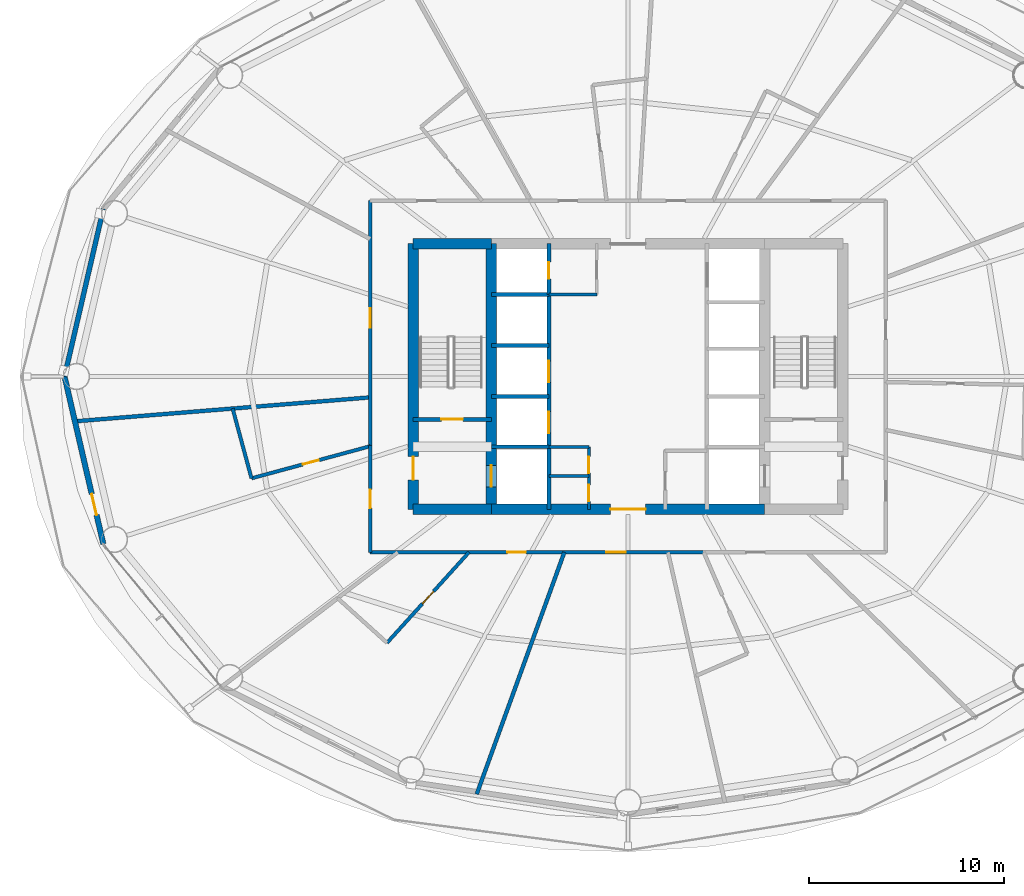
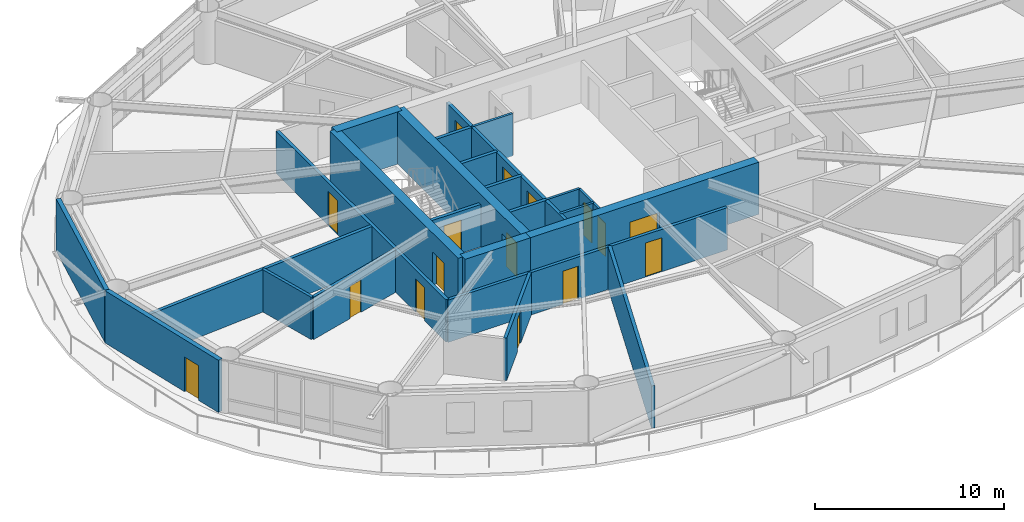
# One storey, part 18 of 24: 27 walls, 16 doors, 16 openings.
"""IFC4 building model written with IfcOpenShell, lengths in metres."""

from ifc_helpers import new_model, si_unit, direction, frame, frame_2d, origin, place, context, subcontext, project, spatial, rectangle, extrude, material, layer, layer_set, type_object, element, fill, save


model = new_model("IFC4")

# Units and contexts
model_context = context("Model", 3, precision=1e-05, world=origin(), true_north=direction((0.0, 1.0)))
body_context = subcontext(model_context, "Body", "Model", "MODEL_VIEW")
ifc_project = project(units=[si_unit("LENGTHUNIT", "METRE"), si_unit("AREAUNIT", "SQUARE_METRE"), si_unit("VOLUMEUNIT", "CUBIC_METRE"), si_unit("PLANEANGLEUNIT", "RADIAN"), si_unit("MASSUNIT", "GRAM", prefix="KILO")], contexts=[model_context])

# Site, building, storey
site_placement = place(None, origin())
site = spatial("IfcSite", under=ifc_project, at=site_placement, CompositionType="ELEMENT")
building_placement = place(site_placement, origin())
building = spatial("IfcBuilding", under=site, at=building_placement, Name="Sarneth Arch Tower", CompositionType="ELEMENT")
storey_placement = place(building_placement, frame((0.0, 0.0, 127.199951171875)))
storey = spatial("IfcBuildingStorey", under=building, at=storey_placement, Name="L32", CompositionType="ELEMENT", Elevation=127.199951171875)

# Wall
ifc_material_1 = material(Name="Concrete C60/75", Category="concrete")
ifc_layer_1 = layer(ifc_material_1, 0.550048828125)
ifc_layer_set_1 = layer_set([ifc_layer_1], Name="Concrete C60/75")
wall_type_1 = type_object("IfcWallType", Name="WALL-CORE-550", PredefinedType="SHEAR", material=ifc_layer_set_1)
wall_1_placement = place(storey_placement, frame((37.0, 35.199951171875, 0.0), z_axis=(0.0, 0.0, 1.0), x_axis=(1.0, 0.0, 0.0)))
element("IfcWall", 1, at=wall_1_placement, inside=storey, type_object=wall_type_1, Name="L32 Core shear wall S-W", PredefinedType="SHEAR", context=body_context, shape_type="SweptSolid", body=[
    extrude(rectangle(XDim=4.0, YDim=0.550048828125, at=frame_2d((2.0, 0.0))), origin(), (0.0, 0.0, 1.0), 3.380126953125),
])

# Wall, opening, door
wall_2_placement = place(storey_placement, frame((41.0, 35.199951171875, 0.0), z_axis=(0.0, 0.0, 1.0), x_axis=(1.0, 0.0, 0.0)))
wall_2 = element("IfcWall", 2, at=wall_2_placement, inside=storey, type_object=wall_type_1, Name="L32 Core shear wall S-M", PredefinedType="SHEAR", context=body_context, shape_type="SweptSolid", body=[
    extrude(rectangle(XDim=14.0, YDim=0.550048828125, at=frame_2d((7.0, 0.0))), origin(), (0.0, 0.0, 1.0), 3.380126953125),
])
opening_1_placement = place(wall_2_placement, frame((6.10009765625, 0.0, 0.0)))
opening_1 = element("IfcOpeningElement", 3, at=opening_1_placement, cuts=wall_2, Name="Opening FD-01", PredefinedType="OPENING", context=body_context, shape_type="SweptSolid", body=[
    extrude(rectangle(XDim=1.800048828125, YDim=2.25, at=frame_2d((0.89990234375, 1.125))), frame((0.0, 0.284912109375, 0.0), z_axis=(0.0, -1.0, 0.0), x_axis=(1.0, 0.0, 0.0)), (0.0, 0.0, 1.0), 0.570068359375),
])
ifc_material_2 = material(Name="Galvanised Steel S275 fire door set", Category="steel")
door_type_1 = type_object("IfcDoorType", Name="DR-FD90-1800", OperationType="DOUBLE_DOOR_SINGLE_SWING", PredefinedType="DOOR", material=ifc_material_2)
door_1_placement = place(opening_1_placement, origin())
door_1 = element("IfcDoor", 4, at=door_1_placement, inside=storey, type_object=door_type_1, Name="L32 Central lift lobby south door", OperationType="DOUBLE_DOOR_SINGLE_SWING", OverallHeight=2.25, OverallWidth=1.800048828125, PredefinedType="DOOR", context=body_context, shape_type="SweptSolid", body=[
    extrude(rectangle(XDim=1.800048828125, YDim=2.25, at=frame_2d((0.89990234375, 1.125))), frame((0.0, 0.02490234375, 0.0), z_axis=(0.0, -1.0, 0.0), x_axis=(1.0, 0.0, 0.0)), (0.0, 0.0, 1.0), 0.050048828125),
])
fill(opening_1, door_1)

# Wall
wall_3_placement = place(storey_placement, frame((37.0, 48.800048828125, 0.0), z_axis=(0.0, 0.0, 1.0), x_axis=(1.0, 0.0, 0.0)))
element("IfcWall", 5, at=wall_3_placement, inside=storey, type_object=wall_type_1, Name="L32 Core shear wall N-W", PredefinedType="SHEAR", context=body_context, shape_type="SweptSolid", body=[
    extrude(rectangle(XDim=4.0, YDim=0.550048828125, at=frame_2d((2.0, 0.0))), origin(), (0.0, 0.0, 1.0), 3.380126953125),
])

# Wall, opening, door
wall_4_placement = place(storey_placement, frame((37.0, 35.199951171875, 0.0), z_axis=(0.0, 0.0, 1.0), x_axis=(0.0, 1.0, 0.0)))
wall_4 = element("IfcWall", 6, at=wall_4_placement, inside=storey, type_object=wall_type_1, Name="L32 Core shear wall W", PredefinedType="SHEAR", context=body_context, shape_type="SweptSolid", body=[
    extrude(rectangle(XDim=13.60009765625, YDim=0.550048828125, at=frame_2d((6.800048828125, 0.0))), origin(), (0.0, 0.0, 1.0), 3.380126953125),
])
opening_2_placement = place(wall_4_placement, frame((1.5, 0.0, 0.0)))
opening_2 = element("IfcOpeningElement", 7, at=opening_2_placement, cuts=wall_4, Name="Opening FD-02", PredefinedType="OPENING", context=body_context, shape_type="SweptSolid", body=[
    extrude(rectangle(XDim=1.199951171875, YDim=2.14990234375, at=frame_2d((0.60009765625, 1.074951171875))), frame((0.0, 0.284912109375, 0.0), z_axis=(0.0, -1.0, 0.0), x_axis=(1.0, 0.0, 0.0)), (0.0, 0.0, 1.0), 0.570068359375),
])
ifc_material_3 = material(Name="Galvanised Steel S275 fire door set", Category="steel")
door_type_2 = type_object("IfcDoorType", Name="DR-FD90-1200", OperationType="SINGLE_SWING_LEFT", PredefinedType="DOOR", material=ifc_material_3)
door_2_placement = place(opening_2_placement, origin())
door_2 = element("IfcDoor", 8, at=door_2_placement, inside=storey, type_object=door_type_2, Name="L32 Firefighting lobby 1 exit door", OperationType="SINGLE_SWING_LEFT", OverallHeight=2.14990234375, OverallWidth=1.199951171875, PredefinedType="DOOR", context=body_context, shape_type="SweptSolid", body=[
    extrude(rectangle(XDim=1.199951171875, YDim=2.14990234375, at=frame_2d((0.60009765625, 1.074951171875))), frame((0.0, 0.02490234375, 0.0), z_axis=(0.0, -1.0, 0.0), x_axis=(1.0, 0.0, 0.0)), (0.0, 0.0, 1.0), 0.050048828125),
])
fill(opening_2, door_2)

wall_5_placement = place(storey_placement, frame((41.0, 35.199951171875, 0.0), z_axis=(0.0, 0.0, 1.0), x_axis=(0.0, 1.0, 0.0)))
wall_5 = element("IfcWall", 9, at=wall_5_placement, inside=storey, type_object=wall_type_1, Name="L32 Core shear wall WEB-W", PredefinedType="SHEAR", context=body_context, shape_type="SweptSolid", body=[
    extrude(rectangle(XDim=13.60009765625, YDim=0.550048828125, at=frame_2d((6.800048828125, 0.0))), origin(), (0.0, 0.0, 1.0), 3.380126953125),
])
opening_3_placement = place(wall_5_placement, frame((1.14990234375, 0.0, 0.0)))
opening_3 = element("IfcOpeningElement", 10, at=opening_3_placement, cuts=wall_5, Name="Opening LD-1", PredefinedType="OPENING", context=body_context, shape_type="SweptSolid", body=[
    extrude(rectangle(XDim=1.10009765625, YDim=2.199951171875, at=frame_2d((0.550048828125, 1.10009765625))), frame((0.0, 0.284912109375, 0.0), z_axis=(0.0, -1.0, 0.0), x_axis=(1.0, 0.0, 0.0)), (0.0, 0.0, 1.0), 0.570068359375),
])
ifc_material_4 = material(Name="Brushed Stainless Steel 304 lift landing door", Category="steel")
door_type_3 = type_object("IfcDoorType", Name="DR-LIFT-SLIDE-1100", OperationType="SLIDING_TO_LEFT", PredefinedType="DOOR", material=ifc_material_4)
door_3_placement = place(opening_3_placement, origin())
door_3 = element("IfcDoor", 11, at=door_3_placement, inside=storey, type_object=door_type_3, Name="L32 Firefighting lift landing door FL-1", OperationType="SLIDING_TO_LEFT", OverallHeight=2.199951171875, OverallWidth=1.10009765625, PredefinedType="DOOR", context=body_context, shape_type="SweptSolid", body=[
    extrude(rectangle(XDim=1.10009765625, YDim=2.199951171875, at=frame_2d((0.550048828125, 1.10009765625))), frame((0.0, 0.02490234375, 0.0), z_axis=(0.0, -1.0, 0.0), x_axis=(1.0, 0.0, 0.0)), (0.0, 0.0, 1.0), 0.050048828125),
])
fill(opening_3, door_3)

ifc_material_5 = material(Name="Double steel-stud corridor fire wall", Category="steel")
ifc_layer_2 = layer(ifc_material_5, 0.18994140625)
ifc_layer_set_2 = layer_set([ifc_layer_2], Name="Double steel-stud corridor fire wall")
wall_type_2 = type_object("IfcWallType", Name="WALL-CORR-190", PredefinedType="PARTITIONING", material=ifc_layer_set_2)
wall_6_placement = place(storey_placement, frame((34.800048828125, 38.396240234375, 0.0), z_axis=(0.0, 0.0, 1.0), x_axis=(0.0, 1.0, 0.0)))
wall_6 = element("IfcWall", 12, at=wall_6_placement, inside=storey, type_object=wall_type_2, Name="L32 Interior partition W-L32-TP-010", PredefinedType="PARTITIONING", context=body_context, shape_type="SweptSolid", body=[
    extrude(rectangle(XDim=12.603759765625, YDim=0.18994140625, at=frame_2d((6.3017578125, 0.0))), origin(), (0.0, 0.0, 1.0), 2.739990234375),
])
opening_4_placement = place(wall_6_placement, frame((6.093505859375, 0.0, 0.0)))
opening_4 = element("IfcOpeningElement", 13, at=opening_4_placement, cuts=wall_6, Name="Opening FD-08", PredefinedType="OPENING", context=body_context, shape_type="SweptSolid", body=[
    extrude(rectangle(XDim=1.0, YDim=2.199951171875, at=frame_2d((0.5, 1.10009765625))), frame((0.0, 0.10498046875, 0.0), z_axis=(0.0, -1.0, 0.0), x_axis=(1.0, 0.0, 0.0)), (0.0, 0.0, 1.0), 0.2099609375),
])
ifc_material_6 = material(Name="Hardwood timber acoustic fire door", Category="wood")
door_type_4 = type_object("IfcDoorType", Name="DR-FD60-1000", OperationType="SINGLE_SWING_LEFT", PredefinedType="DOOR", material=ifc_material_6)
door_4_placement = place(opening_4_placement, origin())
door_4 = element("IfcDoor", 14, at=door_4_placement, inside=storey, type_object=door_type_4, Name="L32 Interior door DR-L32-AMN-05", OperationType="SINGLE_SWING_RIGHT", OverallHeight=2.199951171875, OverallWidth=1.0, PredefinedType="DOOR", context=body_context, shape_type="SweptSolid", body=[
    extrude(rectangle(XDim=1.0, YDim=2.199951171875, at=frame_2d((0.5, 1.10009765625))), frame((0.0, 0.02490234375, 0.0), z_axis=(0.0, -1.0, 0.0), x_axis=(1.0, 0.0, 0.0)), (0.0, 0.0, 1.0), 0.050048828125),
])
fill(opening_4, door_4)

wall_7_placement = place(storey_placement, frame((34.800048828125, 33.0, 0.0), z_axis=(0.0, 0.0, 1.0), x_axis=(0.0, 1.0, 0.0)))
wall_7 = element("IfcWall", 15, at=wall_7_placement, inside=storey, type_object=wall_type_2, Name="L32 Interior partition W-L32-TP-012", PredefinedType="PARTITIONING", context=body_context, shape_type="SweptSolid", body=[
    extrude(rectangle(XDim=5.462646484375, YDim=0.18994140625, at=frame_2d((2.7314453125, 0.0))), origin(), (0.0, 0.0, 1.0), 2.739990234375),
])
opening_5_placement = place(wall_7_placement, frame((2.25634765625, 0.0, 0.0)))
opening_5 = element("IfcOpeningElement", 16, at=opening_5_placement, cuts=wall_7, Name="Opening FD-09", PredefinedType="OPENING", context=body_context, shape_type="SweptSolid", body=[
    extrude(rectangle(XDim=0.949951171875, YDim=2.14990234375, at=frame_2d((0.47509765625, 1.074951171875))), frame((0.0, 0.10498046875, 0.0), z_axis=(0.0, -1.0, 0.0), x_axis=(1.0, 0.0, 0.0)), (0.0, 0.0, 1.0), 0.2099609375),
])
ifc_material_7 = material(Name="Hardwood timber hotel entrance fire door", Category="wood")
door_type_5 = type_object("IfcDoorType", Name="DR-FD60-950", OperationType="SINGLE_SWING_RIGHT", PredefinedType="DOOR", material=ifc_material_7)
door_5_placement = place(opening_5_placement, origin())
door_5 = element("IfcDoor", 17, at=door_5_placement, inside=storey, type_object=door_type_5, Name="L32 Interior door DR-L32-KEY-06", OperationType="SINGLE_SWING_LEFT", OverallHeight=2.14990234375, OverallWidth=0.949951171875, PredefinedType="DOOR", context=body_context, shape_type="SweptSolid", body=[
    extrude(rectangle(XDim=0.949951171875, YDim=2.14990234375, at=frame_2d((0.47509765625, 1.074951171875))), frame((0.0, 0.02490234375, 0.0), z_axis=(0.0, -1.0, 0.0), x_axis=(1.0, 0.0, 0.0)), (0.0, 0.0, 1.0), 0.050048828125),
])
fill(opening_5, door_5)

# Wall, openings, doors
wall_8_placement = place(storey_placement, frame((51.914306640625, 33.0, 0.0), z_axis=(0.0, 0.0, 1.0), x_axis=(-1.0, 0.0, 0.0)))
wall_8 = element("IfcWall", 18, at=wall_8_placement, inside=storey, type_object=wall_type_2, Name="L32 Interior partition W-L32-TP-016", PredefinedType="PARTITIONING", context=body_context, shape_type="SweptSolid", body=[
    extrude(rectangle(XDim=17.1142578125, YDim=0.18994140625, at=frame_2d((8.55712890625, 0.0))), origin(), (0.0, 0.0, 1.0), 2.739990234375),
])
opening_6_placement = place(wall_8_placement, frame((4.020751953125, 0.0, 0.0)))
opening_6 = element("IfcOpeningElement", 19, at=opening_6_placement, cuts=wall_8, Name="Opening FD-08", PredefinedType="OPENING", context=body_context, shape_type="SweptSolid", body=[
    extrude(rectangle(XDim=1.0, YDim=2.199951171875, at=frame_2d((0.5, 1.10009765625))), frame((0.0, 0.10498046875, 0.0), z_axis=(0.0, -1.0, 0.0), x_axis=(1.0, 0.0, 0.0)), (0.0, 0.0, 1.0), 0.2099609375),
])
opening_7_placement = place(wall_8_placement, frame((9.144775390625, 0.0, 0.0)))
opening_7 = element("IfcOpeningElement", 20, at=opening_7_placement, cuts=wall_8, Name="Opening FD-09", PredefinedType="OPENING", context=body_context, shape_type="SweptSolid", body=[
    extrude(rectangle(XDim=0.949951171875, YDim=2.14990234375, at=frame_2d((0.47509765625, 1.074951171875))), frame((0.0, 0.10498046875, 0.0), z_axis=(0.0, -1.0, 0.0), x_axis=(1.0, 0.0, 0.0)), (0.0, 0.0, 1.0), 0.2099609375),
])
door_6_placement = place(opening_6_placement, origin())
door_6 = element("IfcDoor", 21, at=door_6_placement, inside=storey, type_object=door_type_4, Name="L32 Interior door DR-L32-AMN-08", OperationType="SINGLE_SWING_RIGHT", OverallHeight=2.199951171875, OverallWidth=1.0, PredefinedType="DOOR", context=body_context, shape_type="SweptSolid", body=[
    extrude(rectangle(XDim=1.0, YDim=2.199951171875, at=frame_2d((0.5, 1.10009765625))), frame((0.0, 0.02490234375, 0.0), z_axis=(0.0, -1.0, 0.0), x_axis=(1.0, 0.0, 0.0)), (0.0, 0.0, 1.0), 0.050048828125),
])
fill(opening_6, door_6)
door_7_placement = place(opening_7_placement, origin())
door_7 = element("IfcDoor", 22, at=door_7_placement, inside=storey, type_object=door_type_5, Name="L32 Interior door DR-L32-KEY-07", OperationType="SINGLE_SWING_RIGHT", OverallHeight=2.14990234375, OverallWidth=0.949951171875, PredefinedType="DOOR", context=body_context, shape_type="SweptSolid", body=[
    extrude(rectangle(XDim=0.949951171875, YDim=2.14990234375, at=frame_2d((0.47509765625, 1.074951171875))), frame((0.0, 0.02490234375, 0.0), z_axis=(0.0, -1.0, 0.0), x_axis=(1.0, 0.0, 0.0)), (0.0, 0.0, 1.0), 0.050048828125),
])
fill(opening_7, door_7)

# Wall
ifc_material_8 = material(Name="Extruded terracotta rainscreen on Concrete C40/50 backing", Category="masonry")
ifc_layer_3 = layer(ifc_material_8, 0.25)
ifc_layer_set_3 = layer_set([ifc_layer_3], Name="Extruded terracotta rainscreen on Concrete C40/50 backing")
wall_type_3 = type_object("IfcWallType", Name="WALL-EXT-SPAND-250", PredefinedType="SOLIDWALL", material=ifc_layer_set_3)
wall_9_placement = place(storey_placement, frame((21.138671875, 50.58349609375, 0.0), z_axis=(0.0, 0.0, 1.0), x_axis=(-0.22558597182, -0.974223264616, 0.0)))
element("IfcWall", 23, at=wall_9_placement, inside=storey, type_object=wall_type_3, Name="L32 Terracotta perimeter wall 08", PredefinedType="SOLIDWALL", context=body_context, shape_type="SweptSolid", body=[
    extrude(rectangle(XDim=8.810546875, YDim=0.25, at=frame_2d((4.4052734375, 0.0))), origin(), (0.0, 0.0, 1.0), 3.380126953125),
])

# Wall, opening, door
ifc_material_9 = material(Name="Extruded terracotta rainscreen on Concrete C40/50 backing", Category="masonry")
ifc_layer_4 = layer(ifc_material_9, 0.280029296875)
ifc_layer_set_4 = layer_set([ifc_layer_4], Name="Extruded terracotta rainscreen on Concrete C40/50 backing")
wall_type_4 = type_object("IfcWallType", Name="WALL-EXT-TERRA-280", PredefinedType="SOLIDWALL", material=ifc_layer_set_4)
wall_10_placement = place(storey_placement, frame((19.151123046875, 42.0, 0.0), z_axis=(0.0, 0.0, 1.0), x_axis=(0.22558597182, -0.974223264616, 0.0)))
wall_10 = element("IfcWall", 24, at=wall_10_placement, inside=storey, type_object=wall_type_4, Name="L32 Terracotta perimeter wall 09", PredefinedType="SOLIDWALL", context=body_context, shape_type="SweptSolid", body=[
    extrude(rectangle(XDim=8.810546875, YDim=0.280029296875, at=frame_2d((4.4052734375, 0.0))), origin(), (0.0, 0.0, 1.0), 3.380126953125),
])
opening_8_placement = place(wall_10_placement, frame((6.174560546875, 0.0, 0.0)))
opening_8 = element("IfcOpeningElement", 25, at=opening_8_placement, cuts=wall_10, Name="Opening BD-3", PredefinedType="OPENING", context=body_context, shape_type="SweptSolid", body=[
    extrude(rectangle(XDim=1.10009765625, YDim=2.25, at=frame_2d((0.550048828125, 1.125))), frame((0.0, 0.14990234375, 0.0), z_axis=(0.0, -1.0, 0.0), x_axis=(1.0, 0.0, 0.0)), (0.0, 0.0, 1.0), 0.300048828125),
])
ifc_material_10 = material(Name="Thermally broken Aluminium 6063-T6 and laminated safety glass", Category="aluminium")
door_type_6 = type_object("IfcDoorType", Name="DR-BALC-GLZ-1100", OperationType="SINGLE_SWING_LEFT", PredefinedType="DOOR", material=ifc_material_10)
door_8_placement = place(opening_8_placement, origin())
door_8 = element("IfcDoor", 26, at=door_8_placement, inside=storey, type_object=door_type_6, Name="L32 Balcony glazed door 09", OperationType="SINGLE_SWING_LEFT", OverallHeight=2.25, OverallWidth=1.10009765625, PredefinedType="DOOR", context=body_context, shape_type="SweptSolid", body=[
    extrude(rectangle(XDim=1.10009765625, YDim=2.25, at=frame_2d((0.550048828125, 1.125))), frame((0.0, 0.02490234375, 0.0), z_axis=(0.0, -1.0, 0.0), x_axis=(1.0, 0.0, 0.0)), (0.0, 0.0, 1.0), 0.050048828125),
])
fill(opening_8, door_8)

# Walls
ifc_material_11 = material(Name="Acoustic gypsum stud partition", Category="gypsum")
ifc_layer_5 = layer(ifc_material_11, 0.14990234375)
ifc_layer_set_5 = layer_set([ifc_layer_5], Name="Acoustic gypsum stud partition")
wall_type_5 = type_object("IfcWallType", Name="WALL-PART-150", PredefinedType="PARTITIONING", material=ifc_layer_set_5)
for number, where, z_axis, x_axis, name in (
    (27, (43.949951171875, 36.89990234375, 0.0), (0.0, 0.0, 1.0), (1.0, 0.0, 0.0), "L32 Interior partition W-L32-CSUP-M"),
    (28, (43.949951171875, 38.39990234375, 0.0), (0.0, 0.0, 1.0), (1.0, 0.0, 0.0), "L32 Interior partition W-L32-CSUP-N"),
):
    element("IfcWall", number, at=place(storey_placement, frame(where, z_axis=z_axis, x_axis=x_axis)), inside=storey, type_object=wall_type_5, Name=name, PredefinedType="PARTITIONING", context=body_context, shape_type="SweptSolid", body=[
        extrude(rectangle(XDim=2.050048828125, YDim=0.14990234375, at=frame_2d((1.02490234375, 0.0))), origin(), (0.0, 0.0, 1.0), 2.739990234375),
    ])

# Wall, openings, doors
wall_11_placement = place(storey_placement, frame((46.0, 35.199951171875, 0.0), z_axis=(0.0, 0.0, 1.0), x_axis=(0.0, 1.0, 0.0)))
wall_11 = element("IfcWall", 29, at=wall_11_placement, inside=storey, type_object=wall_type_5, Name="L32 Interior partition W-L32-CSUP-E", PredefinedType="PARTITIONING", context=body_context, shape_type="SweptSolid", body=[
    extrude(rectangle(XDim=3.199951171875, YDim=0.14990234375, at=frame_2d((1.60009765625, 0.0))), origin(), (0.0, 0.0, 1.0), 2.739990234375),
])
opening_9_placement = place(wall_11_placement, frame((0.39990234375, 0.0, 0.0)))
opening_9 = element("IfcOpeningElement", 30, at=opening_9_placement, cuts=wall_11, Name="Opening FD-11", PredefinedType="OPENING", context=body_context, shape_type="SweptSolid", body=[
    extrude(rectangle(XDim=0.85009765625, YDim=2.14990234375, at=frame_2d((0.425048828125, 1.074951171875))), frame((0.0, 0.0849609375, 0.0), z_axis=(0.0, -1.0, 0.0), x_axis=(1.0, 0.0, 0.0)), (0.0, 0.0, 1.0), 0.169921875),
])
opening_10_placement = place(wall_11_placement, frame((1.85009765625, 0.0, 0.0)))
opening_10 = element("IfcOpeningElement", 31, at=opening_10_placement, cuts=wall_11, Name="Opening FD-11", PredefinedType="OPENING", context=body_context, shape_type="SweptSolid", body=[
    extrude(rectangle(XDim=0.85009765625, YDim=2.14990234375, at=frame_2d((0.425048828125, 1.074951171875))), frame((0.0, 0.0849609375, 0.0), z_axis=(0.0, -1.0, 0.0), x_axis=(1.0, 0.0, 0.0)), (0.0, 0.0, 1.0), 0.169921875),
])
ifc_material_12 = material(Name="Galvanised Steel S275 closet fire door", Category="steel")
door_type_7 = type_object("IfcDoorType", Name="DR-FD60-850", OperationType="SINGLE_SWING_LEFT", PredefinedType="DOOR", material=ifc_material_12)
door_9_placement = place(opening_9_placement, origin())
door_9 = element("IfcDoor", 32, at=door_9_placement, inside=storey, type_object=door_type_7, Name="L32 Interior door DR-L32-CSUP1", OperationType="SINGLE_SWING_LEFT", OverallHeight=2.14990234375, OverallWidth=0.85009765625, PredefinedType="DOOR", context=body_context, shape_type="SweptSolid", body=[
    extrude(rectangle(XDim=0.85009765625, YDim=2.14990234375, at=frame_2d((0.425048828125, 1.074951171875))), frame((0.0, 0.02490234375, 0.0), z_axis=(0.0, -1.0, 0.0), x_axis=(1.0, 0.0, 0.0)), (0.0, 0.0, 1.0), 0.050048828125),
])
fill(opening_9, door_9)
door_10_placement = place(opening_10_placement, origin())
door_10 = element("IfcDoor", 33, at=door_10_placement, inside=storey, type_object=door_type_7, Name="L32 Interior door DR-L32-CSUP2", OperationType="SINGLE_SWING_RIGHT", OverallHeight=2.14990234375, OverallWidth=0.85009765625, PredefinedType="DOOR", context=body_context, shape_type="SweptSolid", body=[
    extrude(rectangle(XDim=0.85009765625, YDim=2.14990234375, at=frame_2d((0.425048828125, 1.074951171875))), frame((0.0, 0.02490234375, 0.0), z_axis=(0.0, -1.0, 0.0), x_axis=(1.0, 0.0, 0.0)), (0.0, 0.0, 1.0), 0.050048828125),
])
fill(opening_10, door_10)

# Wall
wall_12_placement = place(storey_placement, frame((43.949951171875, 46.199951171875, 0.0), z_axis=(0.0, 0.0, 1.0), x_axis=(1.0, 0.0, 0.0)))
element("IfcWall", 34, at=wall_12_placement, inside=storey, type_object=wall_type_5, Name="L32 Interior partition W-L32-CSUP3-S", PredefinedType="PARTITIONING", context=body_context, shape_type="SweptSolid", body=[
    extrude(rectangle(XDim=2.449951171875, YDim=0.14990234375, at=frame_2d((1.22509765625, 0.0))), origin(), (0.0, 0.0, 1.0), 2.739990234375),
])

# Wall, opening, door
ifc_material_13 = material(Name="Moisture-resistant plumbing chase wall", Category="gypsum")
ifc_layer_6 = layer(ifc_material_13, 0.179931640625)
ifc_layer_set_6 = layer_set([ifc_layer_6], Name="Moisture-resistant plumbing chase wall")
wall_type_6 = type_object("IfcWallType", Name="WALL-PLUMB-180", PredefinedType="PLUMBINGWALL", material=ifc_layer_set_6)
wall_13_placement = place(storey_placement, frame((28.72412109375, 36.785888671875, 0.0), z_axis=(0.0, 0.0, 1.0), x_axis=(0.965306865657, 0.261118086535, 0.0)))
wall_13 = element("IfcWall", 35, at=wall_13_placement, inside=storey, type_object=wall_type_6, Name="L32 Interior partition W-L32-TP-040", PredefinedType="PLUMBINGWALL", context=body_context, shape_type="SweptSolid", body=[
    extrude(rectangle(XDim=6.294189453125, YDim=0.179931640625, at=frame_2d((3.14697265625, 0.0))), origin(), (0.0, 0.0, 1.0), 2.739990234375),
])
opening_11_placement = place(wall_13_placement, frame((2.72216796875, 0.0, 0.0)))
opening_11 = element("IfcOpeningElement", 36, at=opening_11_placement, cuts=wall_13, Name="Opening ID-02", PredefinedType="OPENING", context=body_context, shape_type="SweptSolid", body=[
    extrude(rectangle(XDim=0.85009765625, YDim=2.10009765625, at=frame_2d((0.425048828125, 1.050048828125))), frame((0.0, 0.099853515625, 0.0), z_axis=(0.0, -1.0, 0.0), x_axis=(1.0, 0.0, 0.0)), (0.0, 0.0, 1.0), 0.199951171875),
])
ifc_material_14 = material(Name="Moisture-resistant bathroom timber door", Category="wood")
door_type_8 = type_object("IfcDoorType", Name="DR-INT-850", OperationType="SINGLE_SWING_RIGHT", PredefinedType="DOOR", material=ifc_material_14)
door_11_placement = place(opening_11_placement, origin())
door_11 = element("IfcDoor", 37, at=door_11_placement, inside=storey, type_object=door_type_8, Name="L32 Interior door DR-L32-ENS-06", OperationType="SINGLE_SWING_LEFT", OverallHeight=2.10009765625, OverallWidth=0.85009765625, PredefinedType="DOOR", context=body_context, shape_type="SweptSolid", body=[
    extrude(rectangle(XDim=0.85009765625, YDim=2.10009765625, at=frame_2d((0.425048828125, 1.050048828125))), frame((0.0, 0.02490234375, 0.0), z_axis=(0.0, -1.0, 0.0), x_axis=(1.0, 0.0, 0.0)), (0.0, 0.0, 1.0), 0.050048828125),
])
fill(opening_11, door_11)

wall_14_placement = place(storey_placement, frame((39.857421875, 33.0, 0.0), z_axis=(0.0, 0.0, 1.0), x_axis=(-0.670890833363, -0.741556127147, 0.0)))
wall_14 = element("IfcWall", 38, at=wall_14_placement, inside=storey, type_object=wall_type_6, Name="L32 Interior partition W-L32-TP-043", PredefinedType="PLUMBINGWALL", context=body_context, shape_type="SweptSolid", body=[
    extrude(rectangle(XDim=6.25341796875, YDim=0.179931640625, at=frame_2d((3.126708984375, 0.0))), origin(), (0.0, 0.0, 1.0), 2.739990234375),
])
opening_12_placement = place(wall_14_placement, frame((2.70166015625, 0.0, 0.0)))
opening_12 = element("IfcOpeningElement", 39, at=opening_12_placement, cuts=wall_14, Name="Opening ID-02", PredefinedType="OPENING", context=body_context, shape_type="SweptSolid", body=[
    extrude(rectangle(XDim=0.85009765625, YDim=2.10009765625, at=frame_2d((0.425048828125, 1.050048828125))), frame((0.0, 0.099853515625, 0.0), z_axis=(0.0, -1.0, 0.0), x_axis=(1.0, 0.0, 0.0)), (0.0, 0.0, 1.0), 0.199951171875),
])
door_12_placement = place(opening_12_placement, origin())
door_12 = element("IfcDoor", 40, at=door_12_placement, inside=storey, type_object=door_type_8, Name="L32 Interior door DR-L32-ENS-07", OperationType="SINGLE_SWING_LEFT", OverallHeight=2.10009765625, OverallWidth=0.85009765625, PredefinedType="DOOR", context=body_context, shape_type="SweptSolid", body=[
    extrude(rectangle(XDim=0.85009765625, YDim=2.10009765625, at=frame_2d((0.425048828125, 1.050048828125))), frame((0.0, 0.02490234375, 0.0), z_axis=(0.0, -1.0, 0.0), x_axis=(1.0, 0.0, 0.0)), (0.0, 0.0, 1.0), 0.050048828125),
])
fill(opening_12, door_12)

# Wall
wall_15_placement = place(storey_placement, frame((27.757568359375, 40.3583984375, 0.0), z_axis=(0.0, 0.0, 1.0), x_axis=(0.261163229173, -0.96529465332, 0.0)))
element("IfcWall", 41, at=wall_15_placement, inside=storey, type_object=wall_type_6, Name="L32 Interior partition W-L32-TP-039", PredefinedType="PLUMBINGWALL", context=body_context, shape_type="SweptSolid", body=[
    extrude(rectangle(XDim=3.700927734375, YDim=0.179931640625, at=frame_2d((1.8505859375, 0.0))), origin(), (0.0, 0.0, 1.0), 2.739990234375),
])

# Wall, opening, door
ifc_material_15 = material(Name="Aerated concrete blockwork C25/30", Category="masonry")
ifc_layer_7 = layer(ifc_material_15, 0.199951171875)
ifc_layer_set_7 = layer_set([ifc_layer_7], Name="Aerated concrete blockwork C25/30")
wall_type_7 = type_object("IfcWallType", Name="WALL-SHAFT-200", PredefinedType="SOLIDWALL", material=ifc_layer_set_7)
wall_16_placement = place(storey_placement, frame((37.0, 39.800048828125, 0.0), z_axis=(0.0, 0.0, 1.0), x_axis=(1.0, 0.0, 0.0)))
wall_16 = element("IfcWall", 42, at=wall_16_placement, inside=storey, type_object=wall_type_7, Name="L32 Interior partition W-L32-ST1-S", PredefinedType="SOLIDWALL", context=body_context, shape_type="SweptSolid", body=[
    extrude(rectangle(XDim=4.0, YDim=0.199951171875, at=frame_2d((2.0, 0.0))), origin(), (0.0, 0.0, 1.0), 2.739990234375),
])
opening_13_placement = place(wall_16_placement, frame((1.449951171875, 0.0, 0.0)))
opening_13 = element("IfcOpeningElement", 43, at=opening_13_placement, cuts=wall_16, Name="Opening FD-03", PredefinedType="OPENING", context=body_context, shape_type="SweptSolid", body=[
    extrude(rectangle(XDim=1.10009765625, YDim=2.14990234375, at=frame_2d((0.550048828125, 1.074951171875))), frame((0.0, 0.10986328125, 0.0), z_axis=(0.0, -1.0, 0.0), x_axis=(1.0, 0.0, 0.0)), (0.0, 0.0, 1.0), 0.219970703125),
])
ifc_material_16 = material(Name="Galvanised Steel S275 fire door set", Category="steel")
door_type_9 = type_object("IfcDoorType", Name="DR-FD90-1100", OperationType="SINGLE_SWING_LEFT", PredefinedType="DOOR", material=ifc_material_16)
door_13_placement = place(opening_13_placement, origin())
door_13 = element("IfcDoor", 44, at=door_13_placement, inside=storey, type_object=door_type_9, Name="L32 Interior door DR-L32-ST1", OperationType="SINGLE_SWING_LEFT", OverallHeight=2.14990234375, OverallWidth=1.10009765625, PredefinedType="DOOR", context=body_context, shape_type="SweptSolid", body=[
    extrude(rectangle(XDim=1.10009765625, YDim=2.14990234375, at=frame_2d((0.550048828125, 1.074951171875))), frame((0.0, 0.02490234375, 0.0), z_axis=(0.0, -1.0, 0.0), x_axis=(1.0, 0.0, 0.0)), (0.0, 0.0, 1.0), 0.050048828125),
])
fill(opening_13, door_13)

# Walls
wall_17_placement = place(storey_placement, frame((43.949951171875, 35.199951171875, 0.0), z_axis=(0.0, 0.0, 1.0), x_axis=(0.0, 1.0, 0.0)))
element("IfcWall", 45, at=wall_17_placement, inside=storey, type_object=wall_type_7, Name="L32 Interior partition W-L32-FL1-E", PredefinedType="SOLIDWALL", context=body_context, shape_type="SweptSolid", body=[
    extrude(rectangle(XDim=3.199951171875, YDim=0.199951171875, at=frame_2d((1.60009765625, 0.0))), origin(), (0.0, 0.0, 1.0), 2.739990234375),
])
for number, where, z_axis, x_axis, name in (
    (46, (41.0, 38.39990234375, 0.0), (0.0, 0.0, 1.0), (1.0, 0.0, 0.0), "L32 Interior partition W-L32-FL1-N"),
    (47, (41.0, 46.199951171875, 0.0), (0.0, 0.0, 1.0), (1.0, 0.0, 0.0), "L32 Interior partition W-L32-RISER-S"),
):
    element("IfcWall", number, at=place(storey_placement, frame(where, z_axis=z_axis, x_axis=x_axis)), inside=storey, type_object=wall_type_7, Name=name, PredefinedType="SOLIDWALL", context=body_context, shape_type="SweptSolid", body=[
        extrude(rectangle(XDim=2.949951171875, YDim=0.199951171875, at=frame_2d((1.47509765625, 0.0))), origin(), (0.0, 0.0, 1.0), 2.739990234375),
    ])

# Wall, opening, door
wall_18_placement = place(storey_placement, frame((43.949951171875, 46.199951171875, 0.0), z_axis=(0.0, 0.0, 1.0), x_axis=(0.0, 1.0, 0.0)))
wall_18 = element("IfcWall", 48, at=wall_18_placement, inside=storey, type_object=wall_type_7, Name="L32 Interior partition W-L32-RISER-E", PredefinedType="SOLIDWALL", context=body_context, shape_type="SweptSolid", body=[
    extrude(rectangle(XDim=2.60009765625, YDim=0.199951171875, at=frame_2d((1.300048828125, 0.0))), origin(), (0.0, 0.0, 1.0), 2.739990234375),
])
opening_14_placement = place(wall_18_placement, frame((0.800048828125, 0.0, 0.0)))
opening_14 = element("IfcOpeningElement", 49, at=opening_14_placement, cuts=wall_18, Name="Opening FD-11", PredefinedType="OPENING", context=body_context, shape_type="SweptSolid", body=[
    extrude(rectangle(XDim=0.85009765625, YDim=2.14990234375, at=frame_2d((0.425048828125, 1.074951171875))), frame((0.0, 0.10986328125, 0.0), z_axis=(0.0, -1.0, 0.0), x_axis=(1.0, 0.0, 0.0)), (0.0, 0.0, 1.0), 0.219970703125),
])
door_14_placement = place(opening_14_placement, origin())
door_14 = element("IfcDoor", 50, at=door_14_placement, inside=storey, type_object=door_type_7, Name="L32 Lift landing door DR-L32-RISER", OperationType="SINGLE_SWING_LEFT", OverallHeight=2.14990234375, OverallWidth=0.85009765625, PredefinedType="DOOR", context=body_context, shape_type="SweptSolid", body=[
    extrude(rectangle(XDim=0.85009765625, YDim=2.14990234375, at=frame_2d((0.425048828125, 1.074951171875))), frame((0.0, 0.02490234375, 0.0), z_axis=(0.0, -1.0, 0.0), x_axis=(1.0, 0.0, 0.0)), (0.0, 0.0, 1.0), 0.050048828125),
])
fill(opening_14, door_14)

# Wall, openings, doors
wall_19_placement = place(storey_placement, frame((43.949951171875, 38.39990234375, 0.0), z_axis=(0.0, 0.0, 1.0), x_axis=(0.0, 1.0, 0.0)))
wall_19 = element("IfcWall", 51, at=wall_19_placement, inside=storey, type_object=wall_type_7, Name="L32 Interior partition W-L32-WESTBANK-FRONT", PredefinedType="SOLIDWALL", context=body_context, shape_type="SweptSolid", body=[
    extrude(rectangle(XDim=7.800048828125, YDim=0.199951171875, at=frame_2d((3.89990234375, 0.0))), origin(), (0.0, 0.0, 1.0), 2.739990234375),
])
opening_15_placement = place(wall_19_placement, frame((0.699951171875, 0.0, 0.0)))
opening_15 = element("IfcOpeningElement", 52, at=opening_15_placement, cuts=wall_19, Name="Opening LD-1", PredefinedType="OPENING", context=body_context, shape_type="SweptSolid", body=[
    extrude(rectangle(XDim=1.10009765625, YDim=2.199951171875, at=frame_2d((0.550048828125, 1.10009765625))), frame((0.0, 0.10986328125, 0.0), z_axis=(0.0, -1.0, 0.0), x_axis=(1.0, 0.0, 0.0)), (0.0, 0.0, 1.0), 0.219970703125),
])
opening_16_placement = place(wall_19_placement, frame((3.300048828125, 0.0, 0.0)))
opening_16 = element("IfcOpeningElement", 53, at=opening_16_placement, cuts=wall_19, Name="Opening LD-1", PredefinedType="OPENING", context=body_context, shape_type="SweptSolid", body=[
    extrude(rectangle(XDim=1.10009765625, YDim=2.199951171875, at=frame_2d((0.550048828125, 1.10009765625))), frame((0.0, 0.10986328125, 0.0), z_axis=(0.0, -1.0, 0.0), x_axis=(1.0, 0.0, 0.0)), (0.0, 0.0, 1.0), 0.219970703125),
])
door_15_placement = place(opening_15_placement, origin())
door_15 = element("IfcDoor", 54, at=door_15_placement, inside=storey, type_object=door_type_3, Name="L32 Lift landing door DR-L32-LD-PL1", OperationType="SLIDING_TO_LEFT", OverallHeight=2.199951171875, OverallWidth=1.10009765625, PredefinedType="DOOR", context=body_context, shape_type="SweptSolid", body=[
    extrude(rectangle(XDim=1.10009765625, YDim=2.199951171875, at=frame_2d((0.550048828125, 1.10009765625))), frame((0.0, 0.02490234375, 0.0), z_axis=(0.0, -1.0, 0.0), x_axis=(1.0, 0.0, 0.0)), (0.0, 0.0, 1.0), 0.050048828125),
])
fill(opening_15, door_15)
door_16_placement = place(opening_16_placement, origin())
door_16 = element("IfcDoor", 55, at=door_16_placement, inside=storey, type_object=door_type_3, Name="L32 Lift landing door DR-L32-LD-PL2", OperationType="SLIDING_TO_RIGHT", OverallHeight=2.199951171875, OverallWidth=1.10009765625, PredefinedType="DOOR", context=body_context, shape_type="SweptSolid", body=[
    extrude(rectangle(XDim=1.10009765625, YDim=2.199951171875, at=frame_2d((0.550048828125, 1.10009765625))), frame((0.0, 0.02490234375, 0.0), z_axis=(0.0, -1.0, 0.0), x_axis=(1.0, 0.0, 0.0)), (0.0, 0.0, 1.0), 0.050048828125),
])
fill(opening_16, door_16)

# Walls
for number, where, z_axis, x_axis, name in (
    (56, (41.0, 40.97998046875, 0.0), (0.0, 0.0, 1.0), (1.0, 0.0, 0.0), "L32 Interior partition W-L32-WB-DIV-4098"),
    (57, (41.0, 43.580078125, 0.0), (0.0, 0.0, 1.0), (1.0, 0.0, 0.0), "L32 Interior partition W-L32-WB-DIV-4358"),
):
    element("IfcWall", number, at=place(storey_placement, frame(where, z_axis=z_axis, x_axis=x_axis)), inside=storey, type_object=wall_type_7, Name=name, PredefinedType="SOLIDWALL", context=body_context, shape_type="SweptSolid", body=[
        extrude(rectangle(XDim=2.949951171875, YDim=0.199951171875, at=frame_2d((1.47509765625, 0.0))), origin(), (0.0, 0.0, 1.0), 2.739990234375),
    ])
ifc_material_17 = material(Name="Double steel-stud acoustic drywall", Category="steel")
ifc_layer_8 = layer(ifc_material_17, 0.199951171875)
ifc_layer_set_8 = layer_set([ifc_layer_8], Name="Double steel-stud acoustic drywall")
wall_type_8 = type_object("IfcWallType", Name="WALL-UNIT-200", PredefinedType="PARTITIONING", material=ifc_layer_set_8)
wall_20_placement = place(storey_placement, frame((44.740478515625, 33.0, 0.0), z_axis=(0.0, 0.0, 1.0), x_axis=(-0.340540254487, -0.940229937342, 0.0)))
element("IfcWall", 58, at=wall_20_placement, inside=storey, type_object=wall_type_8, Name="L32 Interior partition W-L32-TP-045", PredefinedType="PARTITIONING", context=body_context, shape_type="SweptSolid", body=[
    extrude(rectangle(XDim=13.17138671875, YDim=0.199951171875, at=frame_2d((6.585693359375, 0.0))), origin(), (0.0, 0.0, 1.0), 2.739990234375),
])
wall_21_placement = place(storey_placement, frame((34.800048828125, 40.929443359375, 0.0), z_axis=(0.0, 0.0, 1.0), x_axis=(-0.996728109279, -0.080827446901, 0.0)))
element("IfcWall", 59, at=wall_21_placement, inside=storey, type_object=wall_type_8, Name="L32 Interior partition W-L32-TP-037", PredefinedType="PARTITIONING", context=body_context, shape_type="SweptSolid", body=[
    extrude(rectangle(XDim=15.286865234375, YDim=0.199951171875, at=frame_2d((7.6435546875, 0.0))), origin(), (0.0, 0.0, 1.0), 2.739990234375),
])

save(model, "model.ifc")
